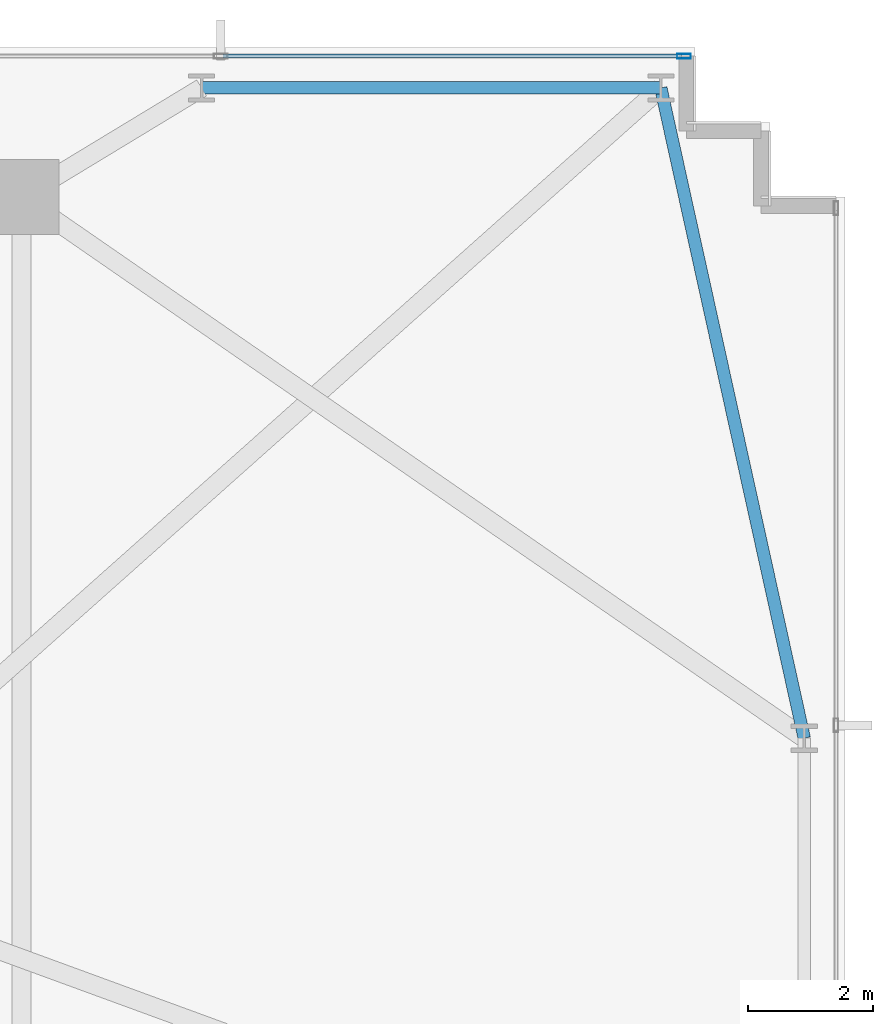
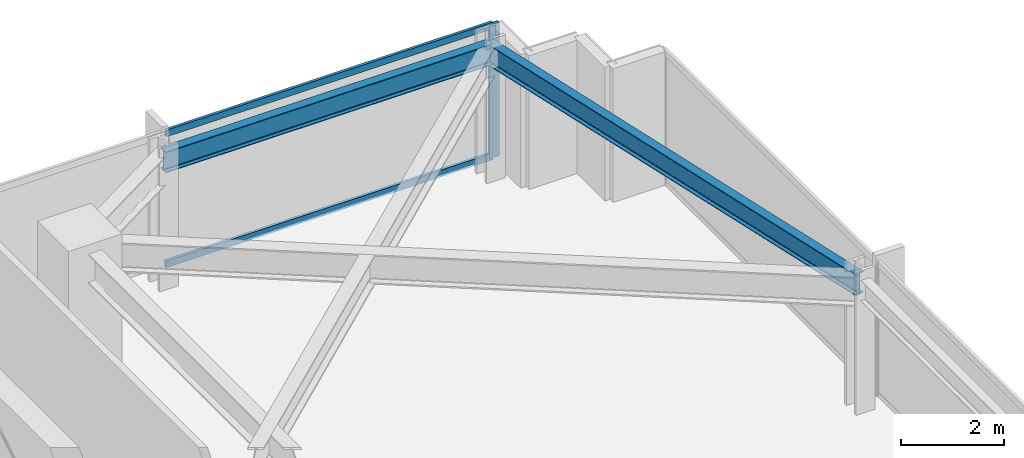
# One storey, part 21 of 33: 3 members, 2 beams, 1 element without a shape of its own.
"""IFC4 building model written with IfcOpenShell, lengths in metres."""

from ifc_helpers import new_model, si_unit, direction, frame, origin, origin_2d, place, context, subcontext, project, spatial, hollow_rectangle, i_section, extrude, material, material_profile, profile_set, type_object, element, aggregate, save


model = new_model("IFC4")

# Units and contexts
model_context = context("Model", 3, precision=1e-05, world=origin(), true_north=direction((0.0, 1.0)))
body_context = subcontext(model_context, "Body", "Model", "MODEL_VIEW")
ifc_project = project(units=[si_unit("LENGTHUNIT", "METRE"), si_unit("AREAUNIT", "SQUARE_METRE"), si_unit("VOLUMEUNIT", "CUBIC_METRE"), si_unit("PLANEANGLEUNIT", "RADIAN"), si_unit("MASSUNIT", "GRAM", prefix="KILO")], contexts=[model_context])

# Site, building, storey
site_placement = place(None, origin())
site = spatial("IfcSite", under=ifc_project, at=site_placement, CompositionType="ELEMENT")
building_placement = place(site_placement, origin())
building = spatial("IfcBuilding", under=site, at=building_placement, Name="Yelkora Congress Tower", CompositionType="ELEMENT")
storey_placement = place(building_placement, frame((0.0, 0.0, 37.199951171875)))
storey = spatial("IfcBuildingStorey", under=building, at=storey_placement, Name="L08", CompositionType="ELEMENT", Elevation=37.199951171875)

# Beams
ifc_material_1 = material(Name="Steel S355J2", Category="steel")
ifc_material_profile_1 = material_profile(ifc_material_1, i_section(OverallWidth=0.199951171875, OverallDepth=0.5, WebThickness=0.01025390625, FlangeThickness=0.01611328125, FilletRadius=0.02099609375, at=origin_2d()), Name="IPE 500")
ifc_profile_set_1 = profile_set([ifc_material_profile_1], Name="Steel S355J2")
beam_type = type_object("IfcBeamType", Name="BM-SPAN-IPE500", PredefinedType="SPANDREL", material=ifc_profile_set_1)
beam_1_placement = place(storey_placement, frame((70.14990234375, 37.52490234375, 2.929931640625), z_axis=(-0.215424087425, 0.97652058993, 0.0), x_axis=(-0.97652058993, -0.215424087425, 0.0)))
element("IfcBeam", 1, at=beam_1_placement, inside=storey, type_object=beam_type, Name="L08 Perimeter Beam 13", PredefinedType="SPANDREL", context=body_context, shape_type="SweptSolid", body=[
    extrude(i_section(OverallWidth=0.199951171875, OverallDepth=0.5, WebThickness=0.01025390625, FlangeThickness=0.01611328125, FilletRadius=0.02099609375, at=origin_2d()), origin(), (0.0, 0.0, 1.0), 10.67578125),
])
beam_2_placement = place(storey_placement, frame((67.85009765625, 47.949951171875, 2.929931640625), z_axis=(-1.0, 0.0, 0.0), x_axis=(0.0, -1.0, 0.0)))
element("IfcBeam", 2, at=beam_2_placement, inside=storey, type_object=beam_type, Name="L08 Perimeter Beam 14", PredefinedType="SPANDREL", context=body_context, shape_type="SweptSolid", body=[
    extrude(i_section(OverallWidth=0.199951171875, OverallDepth=0.5, WebThickness=0.01025390625, FlangeThickness=0.01611328125, FilletRadius=0.02099609375, at=origin_2d()), origin(), (0.0, 0.0, 1.0), 7.362548828125),
])

# Curtain wall, members
ifc_material_2 = material(Name="Anodised aluminium and insulated glass", Category="aluminium")
curtain_wall_type = type_object("IfcCurtainWallType", Name="CW-SYS-B1", PredefinedType="NOTDEFINED", material=ifc_material_2)
curtain_wall_placement = place(storey_placement, origin())
curtain_wall = element("IfcCurtainWall", 3, at=curtain_wall_placement, inside=storey, type_object=curtain_wall_type, Name="L08 Unitised Curtain Wall 10", PredefinedType="NOTDEFINED")
ifc_material_3 = material(Name="Anodised aluminium 6063-T6", Category="aluminium")
ifc_material_profile_2 = material_profile(ifc_material_3, hollow_rectangle(XDim=0.074951171875, YDim=0.219970703125, WallThickness=0.0048828125, at=origin_2d()), Name="ALU 75x220x5")
ifc_profile_set_2 = profile_set([ifc_material_profile_2], Name="Anodised aluminium 6063-T6")
member_type_1 = type_object("IfcMemberType", Name="MEM-ML-B1", PredefinedType="MULLION", material=ifc_profile_set_2)
member_1_placement = place(storey_placement, frame((68.222412109375, 48.4599609375, 0.0), z_axis=(0.0, 0.0, 1.0), x_axis=(0.0, 1.0, 0.0)))
member_1 = element("IfcMember", 4, at=member_1_placement, type_object=member_type_1, Name="CW-B1 mullion 9", PredefinedType="MULLION", context=body_context, shape_type="SweptSolid", body=[
    extrude(hollow_rectangle(XDim=0.074951171875, YDim=0.219970703125, WallThickness=0.0048828125, at=origin_2d()), origin(), (0.0, 0.0, 1.0), 3.179931640625),
])
ifc_material_profile_3 = material_profile(ifc_material_3, hollow_rectangle(XDim=0.06494140625, YDim=0.159912109375, WallThickness=0.00390625, at=origin_2d()), Name="ALU 65x160x4")
ifc_profile_set_3 = profile_set([ifc_material_profile_3], Name="Anodised aluminium 6063-T6")
member_type_2 = type_object("IfcMemberType", Name="MEM-TR-B1", PredefinedType="USERDEFINED", material=ifc_profile_set_3)
member_2_placement = place(storey_placement, frame((60.83251953125, 48.4599609375, 0.032470703125), z_axis=(1.0, 0.0, 0.0), x_axis=(0.0, 1.0, 0.0)))
member_2 = element("IfcMember", 5, at=member_2_placement, type_object=member_type_2, Name="CW-B1 transom 8.1", ObjectType="TRANSOM", PredefinedType="USERDEFINED", context=body_context, shape_type="SweptSolid", body=[
    extrude(hollow_rectangle(XDim=0.06494140625, YDim=0.159912109375, WallThickness=0.00390625, at=origin_2d()), origin(), (0.0, 0.0, 1.0), 7.3525390625),
])
member_3_placement = place(storey_placement, frame((60.83251953125, 48.4599609375, 3.1474609375), z_axis=(1.0, 0.0, 0.0), x_axis=(0.0, 1.0, 0.0)))
member_3 = element("IfcMember", 6, at=member_3_placement, type_object=member_type_2, Name="CW-B1 transom 8.2", ObjectType="TRANSOM", PredefinedType="USERDEFINED", context=body_context, shape_type="SweptSolid", body=[
    extrude(hollow_rectangle(XDim=0.06494140625, YDim=0.159912109375, WallThickness=0.00390625, at=origin_2d()), origin(), (0.0, 0.0, 1.0), 7.3525390625),
])
aggregate(curtain_wall, [member_1, member_2, member_3])

save(model, "model.ifc")
